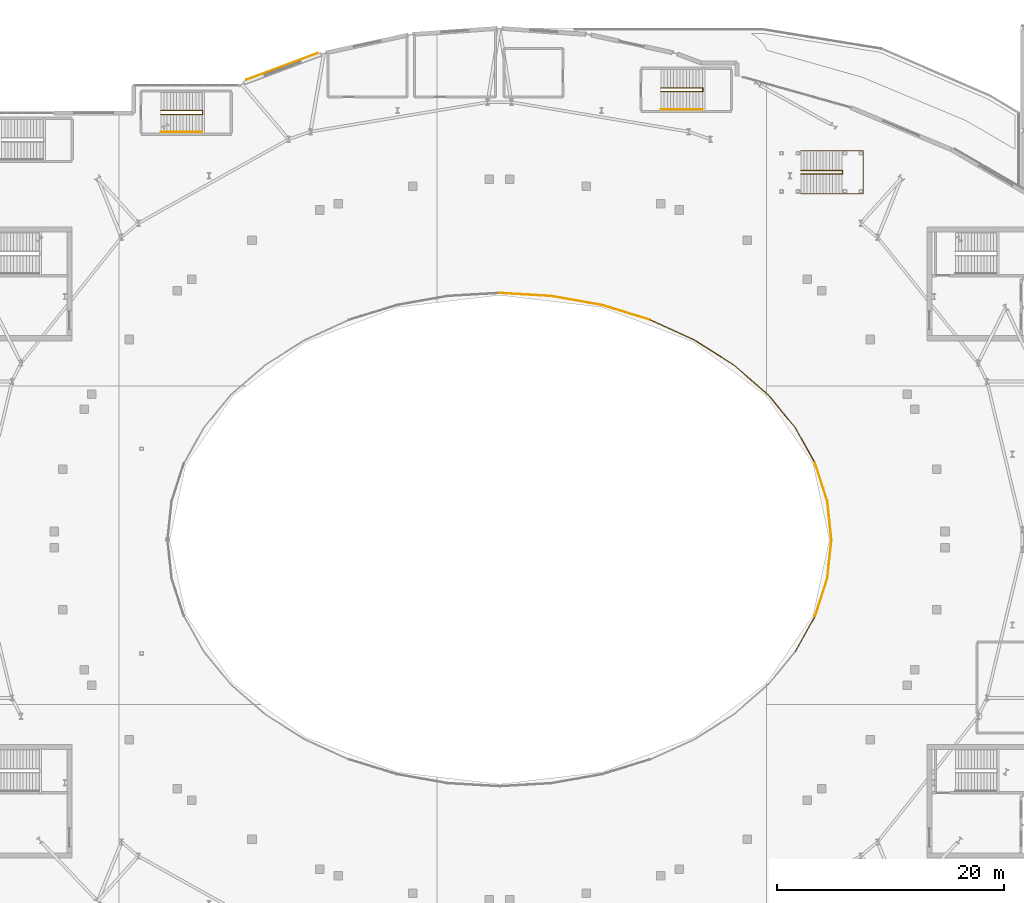
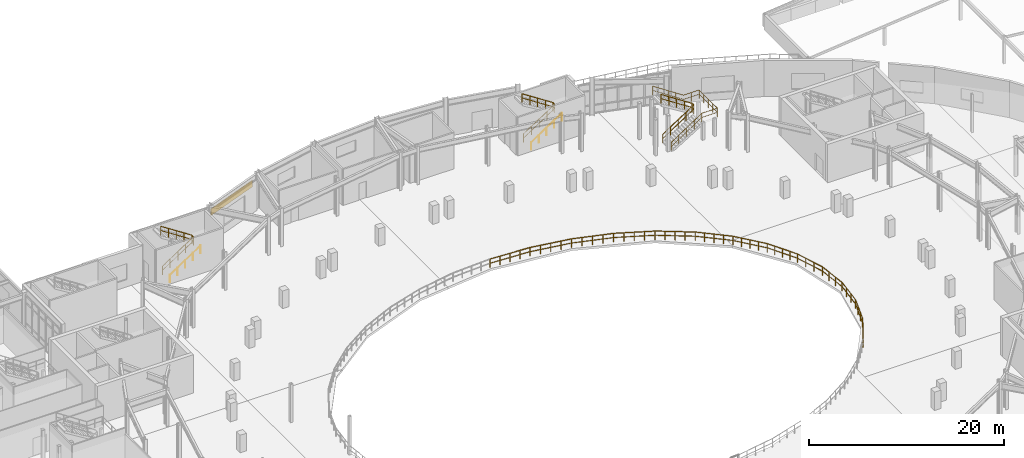
# One storey, part 82 of 84: 19 railings, 1 covering.
"""IFC4 building model written with IfcOpenShell, lengths in metres."""

from ifc_helpers import new_model, si_unit, direction, frame, origin, origin_2d, place, context, subcontext, project, spatial, rectangle, circle, extrude, material, layer, layer_set, type_object, element, save


model = new_model("IFC4")

# Units and contexts
model_context = context("Model", 3, precision=1e-05, world=origin(), true_north=direction((0.0, 1.0)))
body_context = subcontext(model_context, "Body", "Model", "MODEL_VIEW")
ifc_project = project(units=[si_unit("LENGTHUNIT", "METRE"), si_unit("AREAUNIT", "SQUARE_METRE"), si_unit("VOLUMEUNIT", "CUBIC_METRE"), si_unit("PLANEANGLEUNIT", "RADIAN"), si_unit("MASSUNIT", "GRAM", prefix="KILO")], contexts=[model_context])

# Site, building, storey
site_placement = place(None, origin())
site = spatial("IfcSite", under=ifc_project, at=site_placement, CompositionType="ELEMENT")
building_placement = place(site_placement, origin())
building = spatial("IfcBuilding", under=site, at=building_placement, Name="Glasvene Arena", CompositionType="ELEMENT")
storey_placement = place(building_placement, frame((0.0, 0.0, 10.199951171875)))
storey = spatial("IfcBuildingStorey", under=building, at=storey_placement, Name="L02", CompositionType="ELEMENT", Elevation=10.199951171875)

# Covering
ifc_material_1 = material(Name="Coursed pale Irish limestone", Category="masonry")
ifc_layer = layer(ifc_material_1, 0.050048828125)
ifc_layer_set = layer_set([ifc_layer], Name="Coursed pale Irish limestone")
covering_type = type_object("IfcCoveringType", Name="COV-CLAD-LIM", PredefinedType="CLADDING", material=ifc_layer_set)
covering_placement = place(storey_placement, frame((72.8564453125, 114.634521484375, 2.949951171875), z_axis=(0.0, 0.0, 1.0), x_axis=(0.936977446145, 0.349389847328, 0.0)))
element("IfcCovering", 1, at=covering_placement, inside=storey, type_object=covering_type, Name="Irish limestone spandrel cladding EW-L02-0131", PredefinedType="CLADDING", context=body_context, shape_type="SweptSolid", body=[
    extrude(rectangle(XDim=6.70458984375, YDim=0.050048828125, at=origin_2d()), origin(), (0.0, 0.0, 1.0), 0.83154296875),
])

# Railings
ifc_material_2 = material(Name="Brushed stainless steel", Category="steel")
railing_type_1 = type_object("IfcRailingType", Name="RL-GUARD-1100", PredefinedType="GUARDRAIL", material=ifc_material_2)
railing_1_placement = place(storey_placement, frame((62.199951171875, 110.409912109375, 0.0)))
element("IfcRailing", 2, at=railing_1_placement, inside=storey, type_object=railing_type_1, Name="Stair inner well continuous guardrail ST-10-L02", PredefinedType="GUARDRAIL", context=body_context, shape_type="SweptSolid", body=[
    extrude(circle(Radius=0.02392578125, at=origin_2d()), frame((0.0, 0.0, 1.076171875), z_axis=(0.837590697589, 0.0, 0.546298291515), x_axis=(0.0, 1.0, 0.0)), (0.0, 0.0, 1.0), 4.3935546875),
    extrude(circle(Radius=0.01611328125, at=origin_2d()), frame((0.0, 0.0, 0.550048828125), z_axis=(0.837590697589, 0.0, 0.546298291515), x_axis=(0.0, 1.0, 0.0)), (0.0, 0.0, 1.0), 4.3935546875),
    extrude(circle(Radius=0.02392578125, at=origin_2d()), frame((3.679931640625, 0.0, 3.47607421875), z_axis=(0.0, 1.0, 0.0), x_axis=(-1.0, 0.0, 0.0)), (0.0, 0.0, 1.0), 0.330078125),
    extrude(circle(Radius=0.01611328125, at=origin_2d()), frame((3.679931640625, 0.0, 2.9501953125), z_axis=(0.0, 1.0, 0.0), x_axis=(-1.0, 0.0, 0.0)), (0.0, 0.0, 1.0), 0.330078125),
    extrude(circle(Radius=0.02392578125, at=origin_2d()), frame((3.679931640625, 0.330078125, 3.47607421875), z_axis=(-0.837616124378, 0.0, 0.546259304892), x_axis=(0.0, -1.0, 0.0)), (0.0, 0.0, 1.0), 4.393310546875),
    extrude(circle(Radius=0.01611328125, at=origin_2d()), frame((3.679931640625, 0.330078125, 2.9501953125), z_axis=(-0.837616124378, 0.0, 0.546259304892), x_axis=(0.0, -1.0, 0.0)), (0.0, 0.0, 1.0), 4.393310546875),
    extrude(circle(Radius=0.02099609375, at=origin_2d()), origin(), (0.0, 0.0, 1.0), 1.052001953125),
    extrude(circle(Radius=0.02099609375, at=origin_2d()), frame((0.919921875, 0.0, 0.60009765625)), (0.0, 0.0, 1.0), 1.052001953125),
    extrude(circle(Radius=0.02099609375, at=origin_2d()), frame((1.83984375, 0.0, 1.2001953125)), (0.0, 0.0, 1.0), 1.052001953125),
    extrude(circle(Radius=0.02099609375, at=origin_2d()), frame((2.760009765625, 0.0, 1.800048828125)), (0.0, 0.0, 1.0), 1.052001953125),
    extrude(circle(Radius=0.02099609375, at=origin_2d()), frame((3.679931640625, 0.0, 2.400146484375)), (0.0, 0.0, 1.0), 1.052001953125),
    extrude(circle(Radius=0.02099609375, at=origin_2d()), frame((3.679931640625, 0.330078125, 2.400146484375)), (0.0, 0.0, 1.0), 1.052001953125),
    extrude(circle(Radius=0.02099609375, at=origin_2d()), frame((2.760009765625, 0.330078125, 3.0)), (0.0, 0.0, 1.0), 1.052001953125),
    extrude(circle(Radius=0.02099609375, at=origin_2d()), frame((1.83984375, 0.330078125, 3.60009765625)), (0.0, 0.0, 1.0), 1.052001953125),
    extrude(circle(Radius=0.02099609375, at=origin_2d()), frame((0.919921875, 0.330078125, 4.2001953125)), (0.0, 0.0, 1.0), 1.052001953125),
    extrude(circle(Radius=0.02099609375, at=origin_2d()), frame((0.0, 0.330078125, 4.800048828125)), (0.0, 0.0, 1.0), 1.052001953125),
])
railing_2_placement = place(storey_placement, frame((106.199951171875, 112.409912109375, 0.0)))
element("IfcRailing", 3, at=railing_2_placement, inside=storey, type_object=railing_type_1, Name="Stair inner well continuous guardrail ST-11-L02", PredefinedType="GUARDRAIL", context=body_context, shape_type="SweptSolid", body=[
    extrude(circle(Radius=0.02392578125, at=origin_2d()), frame((0.0, 0.0, 1.076171875), z_axis=(0.837590697589, 0.0, 0.546298291515), x_axis=(0.0, 1.0, 0.0)), (0.0, 0.0, 1.0), 4.3935546875),
    extrude(circle(Radius=0.01611328125, at=origin_2d()), frame((0.0, 0.0, 0.550048828125), z_axis=(0.837590697589, 0.0, 0.546298291515), x_axis=(0.0, 1.0, 0.0)), (0.0, 0.0, 1.0), 4.3935546875),
    extrude(circle(Radius=0.02392578125, at=origin_2d()), frame((3.679931640625, 0.0, 3.47607421875), z_axis=(0.0, 1.0, 0.0), x_axis=(-1.0, 0.0, 0.0)), (0.0, 0.0, 1.0), 0.330078125),
    extrude(circle(Radius=0.01611328125, at=origin_2d()), frame((3.679931640625, 0.0, 2.9501953125), z_axis=(0.0, 1.0, 0.0), x_axis=(-1.0, 0.0, 0.0)), (0.0, 0.0, 1.0), 0.330078125),
    extrude(circle(Radius=0.02392578125, at=origin_2d()), frame((3.679931640625, 0.330078125, 3.47607421875), z_axis=(-0.837616124378, 0.0, 0.546259304892), x_axis=(0.0, -1.0, 0.0)), (0.0, 0.0, 1.0), 4.393310546875),
    extrude(circle(Radius=0.01611328125, at=origin_2d()), frame((3.679931640625, 0.330078125, 2.9501953125), z_axis=(-0.837616124378, 0.0, 0.546259304892), x_axis=(0.0, -1.0, 0.0)), (0.0, 0.0, 1.0), 4.393310546875),
    extrude(circle(Radius=0.02099609375, at=origin_2d()), origin(), (0.0, 0.0, 1.0), 1.052001953125),
    extrude(circle(Radius=0.02099609375, at=origin_2d()), frame((0.919921875, 0.0, 0.60009765625)), (0.0, 0.0, 1.0), 1.052001953125),
    extrude(circle(Radius=0.02099609375, at=origin_2d()), frame((1.83984375, 0.0, 1.2001953125)), (0.0, 0.0, 1.0), 1.052001953125),
    extrude(circle(Radius=0.02099609375, at=origin_2d()), frame((2.760009765625, 0.0, 1.800048828125)), (0.0, 0.0, 1.0), 1.052001953125),
    extrude(circle(Radius=0.02099609375, at=origin_2d()), frame((3.679931640625, 0.0, 2.400146484375)), (0.0, 0.0, 1.0), 1.052001953125),
    extrude(circle(Radius=0.02099609375, at=origin_2d()), frame((3.679931640625, 0.330078125, 2.400146484375)), (0.0, 0.0, 1.0), 1.052001953125),
    extrude(circle(Radius=0.02099609375, at=origin_2d()), frame((2.760009765625, 0.330078125, 3.0)), (0.0, 0.0, 1.0), 1.052001953125),
    extrude(circle(Radius=0.02099609375, at=origin_2d()), frame((1.83984375, 0.330078125, 3.60009765625)), (0.0, 0.0, 1.0), 1.052001953125),
    extrude(circle(Radius=0.02099609375, at=origin_2d()), frame((0.919921875, 0.330078125, 4.2001953125)), (0.0, 0.0, 1.0), 1.052001953125),
    extrude(circle(Radius=0.02099609375, at=origin_2d()), frame((0.0, 0.330078125, 4.800048828125)), (0.0, 0.0, 1.0), 1.052001953125),
])
railing_3_placement = place(storey_placement, frame((118.5, 103.449951171875, 0.0)))
element("IfcRailing", 4, at=railing_3_placement, inside=storey, type_object=railing_type_1, Name="Vomitory Stair outer guard VOM-08", PredefinedType="GUARDRAIL", context=body_context, shape_type="SweptSolid", body=[
    extrude(circle(Radius=0.02392578125, at=origin_2d()), frame((0.0, 0.0, 1.076171875), z_axis=(0.834839479206, 0.0, 0.550493454965), x_axis=(0.0, 1.0, 0.0)), (0.0, 0.0, 1.0), 4.360107421875),
    extrude(circle(Radius=0.01611328125, at=origin_2d()), frame((0.0, 0.0, 0.550048828125), z_axis=(0.834839479206, 0.0, 0.550493454965), x_axis=(0.0, 1.0, 0.0)), (0.0, 0.0, 1.0), 4.360107421875),
    extrude(circle(Radius=0.02392578125, at=origin_2d()), frame((3.639892578125, 0.0, 3.47607421875), z_axis=(1.0, 0.0, 0.0), x_axis=(0.0, 1.0, 0.0)), (0.0, 0.0, 1.0), 1.85009765625),
    extrude(circle(Radius=0.01611328125, at=origin_2d()), frame((3.639892578125, 0.0, 2.9501953125), z_axis=(1.0, 0.0, 0.0), x_axis=(0.0, 1.0, 0.0)), (0.0, 0.0, 1.0), 1.85009765625),
    extrude(circle(Radius=0.02392578125, at=origin_2d()), frame((5.489990234375, 0.0, 3.47607421875), z_axis=(0.0, 1.0, 0.0), x_axis=(-1.0, 0.0, 0.0)), (0.0, 0.0, 1.0), 3.75),
    extrude(circle(Radius=0.01611328125, at=origin_2d()), frame((5.489990234375, 0.0, 2.9501953125), z_axis=(0.0, 1.0, 0.0), x_axis=(-1.0, 0.0, 0.0)), (0.0, 0.0, 1.0), 3.75),
    extrude(circle(Radius=0.02392578125, at=origin_2d()), frame((5.489990234375, 3.75, 3.47607421875), z_axis=(-1.0, 0.0, 0.0), x_axis=(0.0, -1.0, 0.0)), (0.0, 0.0, 1.0), 1.85009765625),
    extrude(circle(Radius=0.01611328125, at=origin_2d()), frame((5.489990234375, 3.75, 2.9501953125), z_axis=(-1.0, 0.0, 0.0), x_axis=(0.0, -1.0, 0.0)), (0.0, 0.0, 1.0), 1.85009765625),
    extrude(circle(Radius=0.02392578125, at=origin_2d()), frame((3.639892578125, 3.75, 3.47607421875), z_axis=(-0.834865213223, 0.0, 0.550454426587), x_axis=(0.0, -1.0, 0.0)), (0.0, 0.0, 1.0), 4.35986328125),
    extrude(circle(Radius=0.01611328125, at=origin_2d()), frame((3.639892578125, 3.75, 2.9501953125), z_axis=(-0.834865213223, 0.0, 0.550454426587), x_axis=(0.0, -1.0, 0.0)), (0.0, 0.0, 1.0), 4.35986328125),
    extrude(circle(Radius=0.02099609375, at=origin_2d()), origin(), (0.0, 0.0, 1.0), 1.052001953125),
    extrude(circle(Radius=0.02099609375, at=origin_2d()), frame((0.909912109375, 0.0, 0.60009765625)), (0.0, 0.0, 1.0), 1.052001953125),
    extrude(circle(Radius=0.02099609375, at=origin_2d()), frame((1.81982421875, 0.0, 1.2001953125)), (0.0, 0.0, 1.0), 1.052001953125),
    extrude(circle(Radius=0.02099609375, at=origin_2d()), frame((2.72998046875, 0.0, 1.800048828125)), (0.0, 0.0, 1.0), 1.052001953125),
    extrude(circle(Radius=0.02099609375, at=origin_2d()), frame((3.639892578125, 0.0, 2.400146484375)), (0.0, 0.0, 1.0), 1.052001953125),
    extrude(circle(Radius=0.02099609375, at=origin_2d()), frame((4.56494140625, 0.0, 2.400146484375)), (0.0, 0.0, 1.0), 1.052001953125),
    extrude(circle(Radius=0.02099609375, at=origin_2d()), frame((5.489990234375, 0.0, 2.400146484375)), (0.0, 0.0, 1.0), 1.052001953125),
    extrude(circle(Radius=0.02099609375, at=origin_2d()), frame((5.489990234375, 0.9375, 2.400146484375)), (0.0, 0.0, 1.0), 1.052001953125),
    extrude(circle(Radius=0.02099609375, at=origin_2d()), frame((5.489990234375, 1.875, 2.400146484375)), (0.0, 0.0, 1.0), 1.052001953125),
    extrude(circle(Radius=0.02099609375, at=origin_2d()), frame((5.489990234375, 2.8125, 2.400146484375)), (0.0, 0.0, 1.0), 1.052001953125),
    extrude(circle(Radius=0.02099609375, at=origin_2d()), frame((5.489990234375, 3.75, 2.400146484375)), (0.0, 0.0, 1.0), 1.052001953125),
    extrude(circle(Radius=0.02099609375, at=origin_2d()), frame((4.56494140625, 3.75, 2.400146484375)), (0.0, 0.0, 1.0), 1.052001953125),
    extrude(circle(Radius=0.02099609375, at=origin_2d()), frame((3.639892578125, 3.75, 2.400146484375)), (0.0, 0.0, 1.0), 1.052001953125),
    extrude(circle(Radius=0.02099609375, at=origin_2d()), frame((2.72998046875, 3.75, 3.0)), (0.0, 0.0, 1.0), 1.052001953125),
    extrude(circle(Radius=0.02099609375, at=origin_2d()), frame((1.81982421875, 3.75, 3.60009765625)), (0.0, 0.0, 1.0), 1.052001953125),
    extrude(circle(Radius=0.02099609375, at=origin_2d()), frame((0.909912109375, 3.75, 4.2001953125)), (0.0, 0.0, 1.0), 1.052001953125),
    extrude(circle(Radius=0.02099609375, at=origin_2d()), frame((0.0, 3.75, 4.800048828125)), (0.0, 0.0, 1.0), 1.052001953125),
])
railing_4_placement = place(storey_placement, frame((118.5, 105.159912109375, 0.0)))
element("IfcRailing", 5, at=railing_4_placement, inside=storey, type_object=railing_type_1, Name="Vomitory Stair inner well guard VOM-08", PredefinedType="GUARDRAIL", context=body_context, shape_type="SweptSolid", body=[
    extrude(circle(Radius=0.02392578125, at=origin_2d()), frame((0.0, 0.0, 1.076171875), z_axis=(0.837590697589, 0.0, 0.546298291515), x_axis=(0.0, 1.0, 0.0)), (0.0, 0.0, 1.0), 4.3935546875),
    extrude(circle(Radius=0.01611328125, at=origin_2d()), frame((0.0, 0.0, 0.550048828125), z_axis=(0.837590697589, 0.0, 0.546298291515), x_axis=(0.0, 1.0, 0.0)), (0.0, 0.0, 1.0), 4.3935546875),
    extrude(circle(Radius=0.02392578125, at=origin_2d()), frame((3.679931640625, 0.0, 3.47607421875), z_axis=(0.0, 1.0, 0.0), x_axis=(-1.0, 0.0, 0.0)), (0.0, 0.0, 1.0), 0.330078125),
    extrude(circle(Radius=0.01611328125, at=origin_2d()), frame((3.679931640625, 0.0, 2.9501953125), z_axis=(0.0, 1.0, 0.0), x_axis=(-1.0, 0.0, 0.0)), (0.0, 0.0, 1.0), 0.330078125),
    extrude(circle(Radius=0.02392578125, at=origin_2d()), frame((3.679931640625, 0.330078125, 3.47607421875), z_axis=(-0.837616124378, 0.0, 0.546259304892), x_axis=(0.0, -1.0, 0.0)), (0.0, 0.0, 1.0), 4.393310546875),
    extrude(circle(Radius=0.01611328125, at=origin_2d()), frame((3.679931640625, 0.330078125, 2.9501953125), z_axis=(-0.837616124378, 0.0, 0.546259304892), x_axis=(0.0, -1.0, 0.0)), (0.0, 0.0, 1.0), 4.393310546875),
    extrude(circle(Radius=0.02099609375, at=origin_2d()), origin(), (0.0, 0.0, 1.0), 1.052001953125),
    extrude(circle(Radius=0.02099609375, at=origin_2d()), frame((0.919921875, 0.0, 0.60009765625)), (0.0, 0.0, 1.0), 1.052001953125),
    extrude(circle(Radius=0.02099609375, at=origin_2d()), frame((1.83984375, 0.0, 1.2001953125)), (0.0, 0.0, 1.0), 1.052001953125),
    extrude(circle(Radius=0.02099609375, at=origin_2d()), frame((2.760009765625, 0.0, 1.800048828125)), (0.0, 0.0, 1.0), 1.052001953125),
    extrude(circle(Radius=0.02099609375, at=origin_2d()), frame((3.679931640625, 0.0, 2.400146484375)), (0.0, 0.0, 1.0), 1.052001953125),
    extrude(circle(Radius=0.02099609375, at=origin_2d()), frame((3.679931640625, 0.330078125, 2.400146484375)), (0.0, 0.0, 1.0), 1.052001953125),
    extrude(circle(Radius=0.02099609375, at=origin_2d()), frame((2.760009765625, 0.330078125, 3.0)), (0.0, 0.0, 1.0), 1.052001953125),
    extrude(circle(Radius=0.02099609375, at=origin_2d()), frame((1.83984375, 0.330078125, 3.60009765625)), (0.0, 0.0, 1.0), 1.052001953125),
    extrude(circle(Radius=0.02099609375, at=origin_2d()), frame((0.919921875, 0.330078125, 4.2001953125)), (0.0, 0.0, 1.0), 1.052001953125),
    extrude(circle(Radius=0.02099609375, at=origin_2d()), frame((0.0, 0.330078125, 4.800048828125)), (0.0, 0.0, 1.0), 1.052001953125),
])
railing_5_placement = place(storey_placement, frame((121.199951171875, 73.0, 0.0)))
element("IfcRailing", 6, at=railing_5_placement, inside=storey, type_object=railing_type_1, Name="Safety guardrail GD-BWL-L02-001", PredefinedType="GUARDRAIL", context=body_context, shape_type="SweptSolid", body=[
    extrude(circle(Radius=0.02392578125, at=origin_2d()), frame((0.0, 0.0, 1.076171875), z_axis=(-0.10528045623, 0.994442570255, 0.0), x_axis=(-0.994442570255, -0.10528045623, 0.0)), (0.0, 0.0, 1.0), 3.41357421875),
    extrude(circle(Radius=0.01611328125, at=origin_2d()), frame((0.0, 0.0, 0.550048828125), z_axis=(-0.10528045623, 0.994442570255, 0.0), x_axis=(-0.994442570255, -0.10528045623, 0.0)), (0.0, 0.0, 1.0), 3.41357421875),
    extrude(circle(Radius=0.02099609375, at=origin_2d()), origin(), (0.0, 0.0, 1.0), 1.052001953125),
    extrude(circle(Radius=0.02099609375, at=origin_2d()), frame((-0.119873046875, 1.131591796875, 0.0)), (0.0, 0.0, 1.0), 1.052001953125),
    extrude(circle(Radius=0.02099609375, at=origin_2d()), frame((-0.239501953125, 2.262939453125, 0.0)), (0.0, 0.0, 1.0), 1.052001953125),
    extrude(circle(Radius=0.02099609375, at=origin_2d()), frame((-0.359375, 3.39453125, 0.0)), (0.0, 0.0, 1.0), 1.052001953125),
])
railing_6_placement = place(storey_placement, frame((120.840576171875, 76.39453125, 0.0)))
element("IfcRailing", 7, at=railing_6_placement, inside=storey, type_object=railing_type_1, Name="Safety guardrail GD-BWL-L02-002", PredefinedType="GUARDRAIL", context=body_context, shape_type="SweptSolid", body=[
    extrude(circle(Radius=0.02392578125, at=origin_2d()), frame((0.0, 0.0, 1.076171875), z_axis=(-0.30737379466, 0.951588855734, 0.0), x_axis=(-0.951588855734, -0.30737379466, 0.0)), (0.0, 0.0, 1.0), 3.479736328125),
    extrude(circle(Radius=0.01611328125, at=origin_2d()), frame((0.0, 0.0, 0.550048828125), z_axis=(-0.30737379466, 0.951588855734, 0.0), x_axis=(-0.951588855734, -0.30737379466, 0.0)), (0.0, 0.0, 1.0), 3.479736328125),
    extrude(circle(Radius=0.02099609375, at=origin_2d()), origin(), (0.0, 0.0, 1.0), 1.052001953125),
    extrude(circle(Radius=0.02099609375, at=origin_2d()), frame((-0.3564453125, 1.103759765625, 0.0)), (0.0, 0.0, 1.0), 1.052001953125),
    extrude(circle(Radius=0.02099609375, at=origin_2d()), frame((-0.713134765625, 2.20751953125, 0.0)), (0.0, 0.0, 1.0), 1.052001953125),
    extrude(circle(Radius=0.02099609375, at=origin_2d()), frame((-1.069580078125, 3.311279296875, 0.0)), (0.0, 0.0, 1.0), 1.052001953125),
])
railing_7_placement = place(storey_placement, frame((119.77099609375, 79.705810546875, 0.0)))
element("IfcRailing", 8, at=railing_7_placement, inside=storey, type_object=railing_type_1, Name="Safety guardrail GD-BWL-L02-003", PredefinedType="GUARDRAIL", context=body_context, shape_type="SweptSolid", body=[
    extrude(circle(Radius=0.02392578125, at=origin_2d()), frame((0.0, 0.0, 1.076171875), z_axis=(-0.486920149471, 0.873446488366, 0.0), x_axis=(-0.873446488366, -0.486920149471, 0.0)), (0.0, 0.0, 1.0), 3.6015625),
    extrude(circle(Radius=0.01611328125, at=origin_2d()), frame((0.0, 0.0, 0.550048828125), z_axis=(-0.486920149471, 0.873446488366, 0.0), x_axis=(-0.873446488366, -0.486920149471, 0.0)), (0.0, 0.0, 1.0), 3.6015625),
    extrude(circle(Radius=0.02099609375, at=origin_2d()), origin(), (0.0, 0.0, 1.0), 1.052001953125),
    extrude(circle(Radius=0.02099609375, at=origin_2d()), frame((-0.4384765625, 0.786376953125, 0.0)), (0.0, 0.0, 1.0), 1.052001953125),
    extrude(circle(Radius=0.02099609375, at=origin_2d()), frame((-0.876953125, 1.57275390625, 0.0)), (0.0, 0.0, 1.0), 1.052001953125),
    extrude(circle(Radius=0.02099609375, at=origin_2d()), frame((-1.315185546875, 2.359375, 0.0)), (0.0, 0.0, 1.0), 1.052001953125),
    extrude(circle(Radius=0.02099609375, at=origin_2d()), frame((-1.753662109375, 3.145751953125, 0.0)), (0.0, 0.0, 1.0), 1.052001953125),
])
railing_8_placement = place(storey_placement, frame((118.017333984375, 82.8515625, 0.0)))
element("IfcRailing", 9, at=railing_8_placement, inside=storey, type_object=railing_type_1, Name="Safety guardrail GD-BWL-L02-004", PredefinedType="GUARDRAIL", context=body_context, shape_type="SweptSolid", body=[
    extrude(circle(Radius=0.02392578125, at=origin_2d()), frame((0.0, 0.0, 1.076171875), z_axis=(-0.6361937785, 0.771529310006, 0.0), x_axis=(-0.771529310006, -0.6361937785, 0.0)), (0.0, 0.0, 1.0), 3.76318359375),
    extrude(circle(Radius=0.01611328125, at=origin_2d()), frame((0.0, 0.0, 0.550048828125), z_axis=(-0.6361937785, 0.771529310006, 0.0), x_axis=(-0.771529310006, -0.6361937785, 0.0)), (0.0, 0.0, 1.0), 3.76318359375),
    extrude(circle(Radius=0.02099609375, at=origin_2d()), origin(), (0.0, 0.0, 1.0), 1.052001953125),
    extrude(circle(Radius=0.02099609375, at=origin_2d()), frame((-0.5986328125, 0.725830078125, 0.0)), (0.0, 0.0, 1.0), 1.052001953125),
    extrude(circle(Radius=0.02099609375, at=origin_2d()), frame((-1.197021484375, 1.45166015625, 0.0)), (0.0, 0.0, 1.0), 1.052001953125),
    extrude(circle(Radius=0.02099609375, at=origin_2d()), frame((-1.79541015625, 2.177490234375, 0.0)), (0.0, 0.0, 1.0), 1.052001953125),
    extrude(circle(Radius=0.02099609375, at=origin_2d()), frame((-2.39404296875, 2.9033203125, 0.0)), (0.0, 0.0, 1.0), 1.052001953125),
])
railing_9_placement = place(storey_placement, frame((115.623291015625, 85.7548828125, 0.0)))
element("IfcRailing", 10, at=railing_9_placement, inside=storey, type_object=railing_type_1, Name="Safety guardrail GD-BWL-L02-005", PredefinedType="GUARDRAIL", context=body_context, shape_type="SweptSolid", body=[
    extrude(circle(Radius=0.02392578125, at=origin_2d()), frame((0.0, 0.0, 1.076171875), z_axis=(-0.754394959105, 0.656420784007, 0.0), x_axis=(-0.656420784007, -0.754394959105, 0.0)), (0.0, 0.0, 1.0), 3.944580078125),
    extrude(circle(Radius=0.01611328125, at=origin_2d()), frame((0.0, 0.0, 0.550048828125), z_axis=(-0.754394959105, 0.656420784007, 0.0), x_axis=(-0.656420784007, -0.754394959105, 0.0)), (0.0, 0.0, 1.0), 3.944580078125),
    extrude(circle(Radius=0.02099609375, at=origin_2d()), origin(), (0.0, 0.0, 1.0), 1.052001953125),
    extrude(circle(Radius=0.02099609375, at=origin_2d()), frame((-0.743896484375, 0.6474609375, 0.0)), (0.0, 0.0, 1.0), 1.052001953125),
    extrude(circle(Radius=0.02099609375, at=origin_2d()), frame((-1.48779296875, 1.294677734375, 0.0)), (0.0, 0.0, 1.0), 1.052001953125),
    extrude(circle(Radius=0.02099609375, at=origin_2d()), frame((-2.23193359375, 1.94189453125, 0.0)), (0.0, 0.0, 1.0), 1.052001953125),
    extrude(circle(Radius=0.02099609375, at=origin_2d()), frame((-2.975830078125, 2.58935546875, 0.0)), (0.0, 0.0, 1.0), 1.052001953125),
])
railing_10_placement = place(storey_placement, frame((112.6474609375, 88.34423828125, 0.0)))
element("IfcRailing", 11, at=railing_10_placement, inside=storey, type_object=railing_type_1, Name="Safety guardrail GD-BWL-L02-006", PredefinedType="GUARDRAIL", context=body_context, shape_type="SweptSolid", body=[
    extrude(circle(Radius=0.02392578125, at=origin_2d()), frame((0.0, 0.0, 1.076171875), z_axis=(-0.844291843699, 0.535883646572, 0.0), x_axis=(-0.535883646572, -0.844291843699, 0.0)), (0.0, 0.0, 1.0), 4.126708984375),
    extrude(circle(Radius=0.01611328125, at=origin_2d()), frame((0.0, 0.0, 0.550048828125), z_axis=(-0.844291843699, 0.535883646572, 0.0), x_axis=(-0.535883646572, -0.844291843699, 0.0)), (0.0, 0.0, 1.0), 4.126708984375),
    extrude(circle(Radius=0.02099609375, at=origin_2d()), origin(), (0.0, 0.0, 1.0), 1.052001953125),
    extrude(circle(Radius=0.02099609375, at=origin_2d()), frame((-0.87109375, 0.552734375, 0.0)), (0.0, 0.0, 1.0), 1.052001953125),
    extrude(circle(Radius=0.02099609375, at=origin_2d()), frame((-1.7421875, 1.105712890625, 0.0)), (0.0, 0.0, 1.0), 1.052001953125),
    extrude(circle(Radius=0.02099609375, at=origin_2d()), frame((-2.613037109375, 1.65869140625, 0.0)), (0.0, 0.0, 1.0), 1.052001953125),
    extrude(circle(Radius=0.02099609375, at=origin_2d()), frame((-3.484130859375, 2.21142578125, 0.0)), (0.0, 0.0, 1.0), 1.052001953125),
])
railing_11_placement = place(storey_placement, frame((109.163330078125, 90.5556640625, 0.0)))
element("IfcRailing", 12, at=railing_11_placement, inside=storey, type_object=railing_type_1, Name="Safety guardrail GD-BWL-L02-007", PredefinedType="GUARDRAIL", context=body_context, shape_type="SweptSolid", body=[
    extrude(circle(Radius=0.02392578125, at=origin_2d()), frame((0.0, 0.0, 1.076171875), z_axis=(-0.910079947412, 0.414432731958, 0.0), x_axis=(-0.414432731958, -0.910079947412, 0.0)), (0.0, 0.0, 1.0), 4.292724609375),
    extrude(circle(Radius=0.01611328125, at=origin_2d()), frame((0.0, 0.0, 0.550048828125), z_axis=(-0.910079947412, 0.414432731958, 0.0), x_axis=(-0.414432731958, -0.910079947412, 0.0)), (0.0, 0.0, 1.0), 4.292724609375),
    extrude(circle(Radius=0.02099609375, at=origin_2d()), origin(), (0.0, 0.0, 1.0), 1.052001953125),
    extrude(circle(Radius=0.02099609375, at=origin_2d()), frame((-0.9765625, 0.44482421875, 0.0)), (0.0, 0.0, 1.0), 1.052001953125),
    extrude(circle(Radius=0.02099609375, at=origin_2d()), frame((-1.953369140625, 0.8896484375, 0.0)), (0.0, 0.0, 1.0), 1.052001953125),
    extrude(circle(Radius=0.02099609375, at=origin_2d()), frame((-2.93017578125, 1.334228515625, 0.0)), (0.0, 0.0, 1.0), 1.052001953125),
    extrude(circle(Radius=0.02099609375, at=origin_2d()), frame((-3.90673828125, 1.779052734375, 0.0)), (0.0, 0.0, 1.0), 1.052001953125),
])
railing_12_placement = place(storey_placement, frame((105.256591796875, 92.334716796875, 0.0)))
element("IfcRailing", 13, at=railing_12_placement, inside=storey, type_object=railing_type_1, Name="Safety guardrail GD-BWL-L02-008", PredefinedType="GUARDRAIL", context=body_context, shape_type="SweptSolid", body=[
    extrude(circle(Radius=0.02392578125, at=origin_2d()), frame((0.0, 0.0, 1.076171875), z_axis=(-0.955738480796, 0.294217532323, 0.0), x_axis=(-0.294217532323, -0.955738480796, 0.0)), (0.0, 0.0, 1.0), 4.429443359375),
    extrude(circle(Radius=0.01611328125, at=origin_2d()), frame((0.0, 0.0, 0.550048828125), z_axis=(-0.955738480796, 0.294217532323, 0.0), x_axis=(-0.294217532323, -0.955738480796, 0.0)), (0.0, 0.0, 1.0), 4.429443359375),
    extrude(circle(Radius=0.02099609375, at=origin_2d()), origin(), (0.0, 0.0, 1.0), 1.052001953125),
    extrude(circle(Radius=0.02099609375, at=origin_2d()), frame((-1.058349609375, 0.32568359375, 0.0)), (0.0, 0.0, 1.0), 1.052001953125),
    extrude(circle(Radius=0.02099609375, at=origin_2d()), frame((-2.11669921875, 0.651611328125, 0.0)), (0.0, 0.0, 1.0), 1.052001953125),
    extrude(circle(Radius=0.02099609375, at=origin_2d()), frame((-3.175048828125, 0.9775390625, 0.0)), (0.0, 0.0, 1.0), 1.052001953125),
    extrude(circle(Radius=0.02099609375, at=origin_2d()), frame((-4.2333984375, 1.30322265625, 0.0)), (0.0, 0.0, 1.0), 1.052001953125),
])
railing_13_placement = place(storey_placement, frame((101.023193359375, 93.637939453125, 0.0)))
element("IfcRailing", 14, at=railing_13_placement, inside=storey, type_object=railing_type_1, Name="Safety guardrail GD-BWL-L02-009", PredefinedType="GUARDRAIL", context=body_context, shape_type="SweptSolid", body=[
    extrude(circle(Radius=0.02392578125, at=origin_2d()), frame((0.0, 0.0, 1.076171875), z_axis=(-0.984453237515, 0.175646870587, 0.0), x_axis=(-0.175646870587, -0.984453237515, 0.0)), (0.0, 0.0, 1.0), 4.525634765625),
    extrude(circle(Radius=0.01611328125, at=origin_2d()), frame((0.0, 0.0, 0.550048828125), z_axis=(-0.984453237515, 0.175646870587, 0.0), x_axis=(-0.175646870587, -0.984453237515, 0.0)), (0.0, 0.0, 1.0), 4.525634765625),
    extrude(circle(Radius=0.02099609375, at=origin_2d()), origin(), (0.0, 0.0, 1.0), 1.052001953125),
    extrude(circle(Radius=0.02099609375, at=origin_2d()), frame((-1.11376953125, 0.19873046875, 0.0)), (0.0, 0.0, 1.0), 1.052001953125),
    extrude(circle(Radius=0.02099609375, at=origin_2d()), frame((-2.2275390625, 0.3974609375, 0.0)), (0.0, 0.0, 1.0), 1.052001953125),
    extrude(circle(Radius=0.02099609375, at=origin_2d()), frame((-3.341552734375, 0.59619140625, 0.0)), (0.0, 0.0, 1.0), 1.052001953125),
    extrude(circle(Radius=0.02099609375, at=origin_2d()), frame((-4.455322265625, 0.794921875, 0.0)), (0.0, 0.0, 1.0), 1.052001953125),
])
railing_14_placement = place(storey_placement, frame((96.56787109375, 94.432861328125, 0.0)))
element("IfcRailing", 15, at=railing_14_placement, inside=storey, type_object=railing_type_1, Name="Safety guardrail GD-BWL-L02-010", PredefinedType="GUARDRAIL", context=body_context, shape_type="SweptSolid", body=[
    extrude(circle(Radius=0.02392578125, at=origin_2d()), frame((0.0, 0.0, 1.076171875), z_axis=(-0.998294918251, 0.058371707139, 0.0), x_axis=(-0.058371707139, -0.998294918251, 0.0)), (0.0, 0.0, 1.0), 4.57568359375),
    extrude(circle(Radius=0.01611328125, at=origin_2d()), frame((0.0, 0.0, 0.550048828125), z_axis=(-0.998294918251, 0.058371707139, 0.0), x_axis=(-0.058371707139, -0.998294918251, 0.0)), (0.0, 0.0, 1.0), 4.57568359375),
    extrude(circle(Radius=0.02099609375, at=origin_2d()), origin(), (0.0, 0.0, 1.0), 1.052001953125),
    extrude(circle(Radius=0.02099609375, at=origin_2d()), frame((-1.14208984375, 0.06689453125, 0.0)), (0.0, 0.0, 1.0), 1.052001953125),
    extrude(circle(Radius=0.02099609375, at=origin_2d()), frame((-2.283935546875, 0.133544921875, 0.0)), (0.0, 0.0, 1.0), 1.052001953125),
    extrude(circle(Radius=0.02099609375, at=origin_2d()), frame((-3.42578125, 0.2001953125, 0.0)), (0.0, 0.0, 1.0), 1.052001953125),
    extrude(circle(Radius=0.02099609375, at=origin_2d()), frame((-4.56787109375, 0.26708984375, 0.0)), (0.0, 0.0, 1.0), 1.052001953125),
])
railing_15_placement = place(storey_placement, frame((118.017333984375, 63.1484375, 0.0)))
element("IfcRailing", 16, at=railing_15_placement, inside=storey, type_object=railing_type_1, Name="Safety guardrail GD-BWL-L02-038", PredefinedType="GUARDRAIL", context=body_context, shape_type="SweptSolid", body=[
    extrude(circle(Radius=0.02392578125, at=origin_2d()), frame((0.0, 0.0, 1.076171875), z_axis=(0.486920149471, 0.873446488366, 0.0), x_axis=(-0.873446488366, 0.486920149471, 0.0)), (0.0, 0.0, 1.0), 3.6015625),
    extrude(circle(Radius=0.01611328125, at=origin_2d()), frame((0.0, 0.0, 0.550048828125), z_axis=(0.486920149471, 0.873446488366, 0.0), x_axis=(-0.873446488366, 0.486920149471, 0.0)), (0.0, 0.0, 1.0), 3.6015625),
    extrude(circle(Radius=0.02099609375, at=origin_2d()), origin(), (0.0, 0.0, 1.0), 1.052001953125),
    extrude(circle(Radius=0.02099609375, at=origin_2d()), frame((0.4384765625, 0.786376953125, 0.0)), (0.0, 0.0, 1.0), 1.052001953125),
    extrude(circle(Radius=0.02099609375, at=origin_2d()), frame((0.876953125, 1.57275390625, 0.0)), (0.0, 0.0, 1.0), 1.052001953125),
    extrude(circle(Radius=0.02099609375, at=origin_2d()), frame((1.315185546875, 2.359375, 0.0)), (0.0, 0.0, 1.0), 1.052001953125),
    extrude(circle(Radius=0.02099609375, at=origin_2d()), frame((1.753662109375, 3.145751953125, 0.0)), (0.0, 0.0, 1.0), 1.052001953125),
])
railing_16_placement = place(storey_placement, frame((119.77099609375, 66.294189453125, 0.0)))
element("IfcRailing", 17, at=railing_16_placement, inside=storey, type_object=railing_type_1, Name="Safety guardrail GD-BWL-L02-039", PredefinedType="GUARDRAIL", context=body_context, shape_type="SweptSolid", body=[
    extrude(circle(Radius=0.02392578125, at=origin_2d()), frame((0.0, 0.0, 1.076171875), z_axis=(0.30737379466, 0.951588855734, 0.0), x_axis=(-0.951588855734, 0.30737379466, 0.0)), (0.0, 0.0, 1.0), 3.479736328125),
    extrude(circle(Radius=0.01611328125, at=origin_2d()), frame((0.0, 0.0, 0.550048828125), z_axis=(0.30737379466, 0.951588855734, 0.0), x_axis=(-0.951588855734, 0.30737379466, 0.0)), (0.0, 0.0, 1.0), 3.479736328125),
    extrude(circle(Radius=0.02099609375, at=origin_2d()), origin(), (0.0, 0.0, 1.0), 1.052001953125),
    extrude(circle(Radius=0.02099609375, at=origin_2d()), frame((0.3564453125, 1.103759765625, 0.0)), (0.0, 0.0, 1.0), 1.052001953125),
    extrude(circle(Radius=0.02099609375, at=origin_2d()), frame((0.713134765625, 2.20751953125, 0.0)), (0.0, 0.0, 1.0), 1.052001953125),
    extrude(circle(Radius=0.02099609375, at=origin_2d()), frame((1.069580078125, 3.311279296875, 0.0)), (0.0, 0.0, 1.0), 1.052001953125),
])
railing_17_placement = place(storey_placement, frame((120.840576171875, 69.60546875, 0.0)))
element("IfcRailing", 18, at=railing_17_placement, inside=storey, type_object=railing_type_1, Name="Safety guardrail GD-BWL-L02-040", PredefinedType="GUARDRAIL", context=body_context, shape_type="SweptSolid", body=[
    extrude(circle(Radius=0.02392578125, at=origin_2d()), frame((0.0, 0.0, 1.076171875), z_axis=(0.10528045623, 0.994442570255, 0.0), x_axis=(-0.994442570255, 0.10528045623, 0.0)), (0.0, 0.0, 1.0), 3.41357421875),
    extrude(circle(Radius=0.01611328125, at=origin_2d()), frame((0.0, 0.0, 0.550048828125), z_axis=(0.10528045623, 0.994442570255, 0.0), x_axis=(-0.994442570255, 0.10528045623, 0.0)), (0.0, 0.0, 1.0), 3.41357421875),
    extrude(circle(Radius=0.02099609375, at=origin_2d()), origin(), (0.0, 0.0, 1.0), 1.052001953125),
    extrude(circle(Radius=0.02099609375, at=origin_2d()), frame((0.119873046875, 1.131591796875, 0.0)), (0.0, 0.0, 1.0), 1.052001953125),
    extrude(circle(Radius=0.02099609375, at=origin_2d()), frame((0.239501953125, 2.262939453125, 0.0)), (0.0, 0.0, 1.0), 1.052001953125),
    extrude(circle(Radius=0.02099609375, at=origin_2d()), frame((0.359375, 3.39453125, 0.0)), (0.0, 0.0, 1.0), 1.052001953125),
])
railing_type_2 = type_object("IfcRailingType", Name="RL-HAND-950", PredefinedType="HANDRAIL", material=ifc_material_2)
for number, where, name in (
    (19, (62.199951171875, 108.860107421875, 0.0), "Stair wall handrail ST-10-L02"),
    (20, (106.199951171875, 110.860107421875, 0.0), "Stair wall handrail ST-11-L02"),
):
    element("IfcRailing", number, at=place(storey_placement, frame(where)), inside=storey, type_object=railing_type_2, Name=name, PredefinedType="HANDRAIL", context=body_context, shape_type="SweptSolid", body=[
        extrude(circle(Radius=0.02392578125, at=origin_2d()), frame((0.0, 0.0, 0.92578125), z_axis=(0.834856447115, 0.0, 0.55046772177), x_axis=(0.0, 1.0, 0.0)), (0.0, 0.0, 1.0), 4.360107421875),
        extrude(circle(Radius=0.02099609375, at=origin_2d()), origin(), (0.0, 0.0, 1.0), 0.90185546875),
        extrude(circle(Radius=0.02099609375, at=origin_2d()), frame((0.91015625, 0.0, 0.60009765625)), (0.0, 0.0, 1.0), 0.90185546875),
        extrude(circle(Radius=0.02099609375, at=origin_2d()), frame((1.820068359375, 0.0, 1.2001953125)), (0.0, 0.0, 1.0), 0.90185546875),
        extrude(circle(Radius=0.02099609375, at=origin_2d()), frame((2.72998046875, 0.0, 1.800048828125)), (0.0, 0.0, 1.0), 0.90185546875),
        extrude(circle(Radius=0.02099609375, at=origin_2d()), frame((3.64013671875, 0.0, 2.400146484375)), (0.0, 0.0, 1.0), 0.90185546875),
    ])

save(model, "model.ifc")
